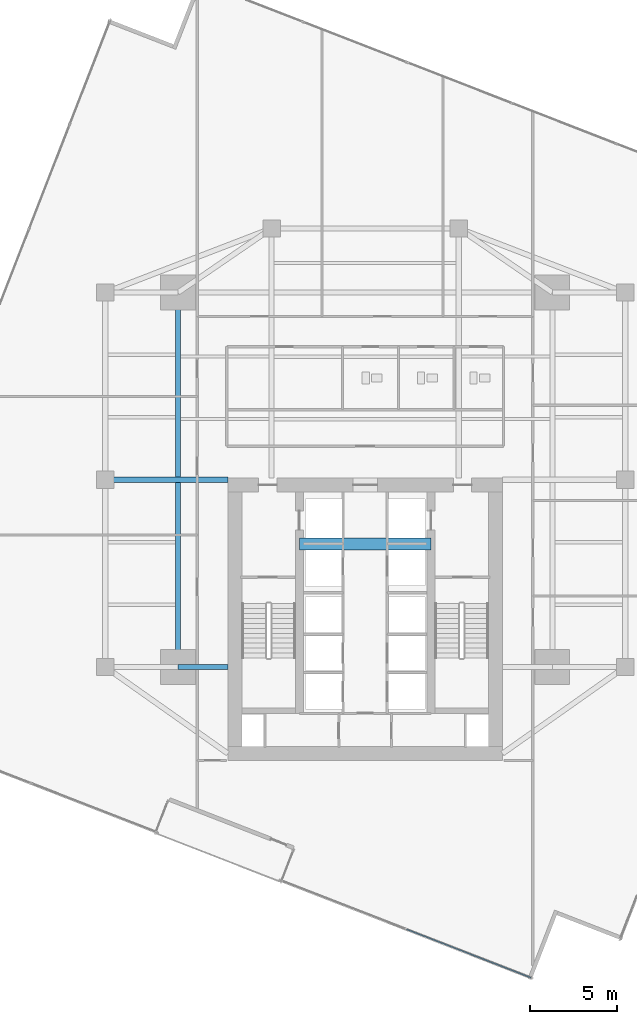
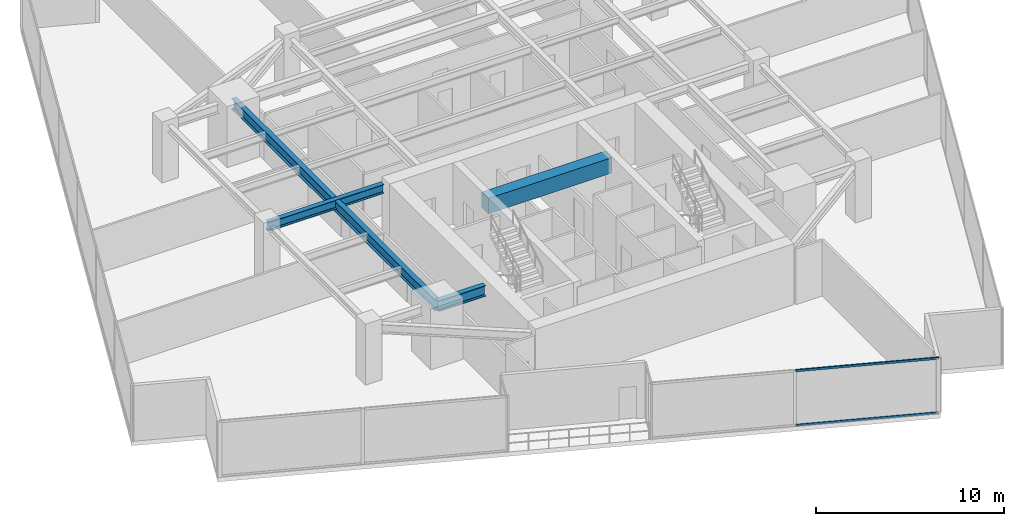
# One storey, part 8 of 26: 4 beams, 2 members, 1 element without a shape of its own.
"""IFC4 building model written with IfcOpenShell, lengths in metres."""

from ifc_helpers import new_model, si_unit, direction, frame, origin, origin_2d, place, context, subcontext, project, spatial, rectangle, hollow_rectangle, i_section, extrude, source, transform, mapped, material, material_profile, profile_set, type_object, type_shapes, element, aggregate, save


model = new_model("IFC4")

# Units and contexts
model_context = context("Model", 3, precision=1e-05, world=origin(), true_north=direction((0.0, 1.0)))
body_context = subcontext(model_context, "Body", "Model", "MODEL_VIEW")
ifc_project = project(units=[si_unit("LENGTHUNIT", "METRE"), si_unit("AREAUNIT", "SQUARE_METRE"), si_unit("VOLUMEUNIT", "CUBIC_METRE"), si_unit("PLANEANGLEUNIT", "RADIAN"), si_unit("MASSUNIT", "GRAM", prefix="KILO")], contexts=[model_context])

# Site, building, storey
site_placement = place(None, origin())
site = spatial("IfcSite", under=ifc_project, at=site_placement, CompositionType="ELEMENT")
building_placement = place(site_placement, origin())
building = spatial("IfcBuilding", under=site, at=building_placement, Name="Krantzveldt Concourse Tower", CompositionType="ELEMENT")
storey_placement = place(building_placement, frame((0.0, 0.0, 137.449951171875)))
storey = spatial("IfcBuildingStorey", under=building, at=storey_placement, Name="L33", CompositionType="ELEMENT", Elevation=137.449951171875)

# Beams
ifc_material_1 = material(Name="Steel S355J2", Category="steel")
ifc_material_profile_1 = material_profile(ifc_material_1, i_section(OverallWidth=0.300048828125, OverallDepth=0.699951171875, WebThickness=0.01708984375, FlangeThickness=0.031982421875, FilletRadius=0.027099609375, at=origin_2d()), Name="Steel S355J2", Category="steel")
ifc_profile_set_1 = profile_set([ifc_material_profile_1], Name="Steel S355J2 - HEB 700")
beam_type_1 = type_object("IfcBeamType", Name="BM-B-HEB700", PredefinedType="BEAM", material=ifc_profile_set_1)
shared_shape_1 = source(origin(), body_context, "Body", "SweptSolid", [
    extrude(i_section(OverallWidth=0.300048828125, OverallDepth=0.699951171875, WebThickness=0.01708984375, FlangeThickness=0.031982421875, FilletRadius=0.027099609375, at=origin_2d()), origin(), (0.0, 0.0, 1.0), 2.880126953125),
])
beam_1_placement = place(storey_placement, frame((25.199951171875, 15.89990234375, 3.25), z_axis=(1.0, 0.0, 0.0), x_axis=(0.0, 1.0, 0.0)))
element("IfcBeam", 1, at=beam_1_placement, inside=storey, type_object=beam_type_1, Name="L33 Tower Girder BG-CW1", PredefinedType="BEAM", context=body_context, shape_type="MappedRepresentation", body=[
    mapped(shared_shape_1, transform((0.0, 0.0, 0.0), x_axis=(1.0, 0.0, 0.0), y_axis=(0.0, 1.0, 0.0), z_axis=(0.0, 0.0, 1.0), scale=1.0)),
])
shared_shape_2 = source(origin(), body_context, "Body", "SweptSolid", [
    extrude(i_section(OverallWidth=0.300048828125, OverallDepth=0.699951171875, WebThickness=0.01708984375, FlangeThickness=0.031982421875, FilletRadius=0.027099609375, at=origin_2d()), origin(), (0.0, 0.0, 1.0), 21.60009765625),
])
type_shapes(beam_type_1, [shared_shape_1, shared_shape_2])
beam_2_placement = place(storey_placement, frame((25.199951171875, 15.89990234375, 3.25), z_axis=(0.0, 1.0, 0.0), x_axis=(-1.0, 0.0, 0.0)))
element("IfcBeam", 2, at=beam_2_placement, inside=storey, type_object=beam_type_1, Name="L33 Tower Girder BG-MW", PredefinedType="BEAM", context=body_context, shape_type="MappedRepresentation", body=[
    mapped(shared_shape_2, transform((0.0, 0.0, 0.0), x_axis=(1.0, 0.0, 0.0), y_axis=(0.0, 1.0, 0.0), z_axis=(0.0, 0.0, 1.0), scale=1.0)),
])
ifc_material_2 = material(Name="Steel S355JR", Category="steel")
ifc_material_profile_2 = material_profile(ifc_material_2, i_section(OverallWidth=0.300048828125, OverallDepth=0.590087890625, WebThickness=0.012939453125, FlangeThickness=0.02490234375, FilletRadius=0.027099609375, at=origin_2d()), Name="Steel S355JR", Category="steel")
ifc_profile_set_2 = profile_set([ifc_material_profile_2], Name="Steel S355JR - HEA 600")
beam_type_2 = type_object("IfcBeamType", Name="BM-B-HEA600", PredefinedType="BEAM", material=ifc_profile_set_2)
shared_shape_3 = source(origin(), body_context, "Body", "SweptSolid", [
    extrude(i_section(OverallWidth=0.300048828125, OverallDepth=0.590087890625, WebThickness=0.012939453125, FlangeThickness=0.02490234375, FilletRadius=0.027099609375, at=origin_2d()), origin(), (0.0, 0.0, 1.0), 7.080078125),
])
type_shapes(beam_type_2, [shared_shape_3])
beam_3_placement = place(storey_placement, frame((21.0, 26.699951171875, 3.304931640625), z_axis=(1.0, 0.0, 0.0), x_axis=(0.0, 1.0, 0.0)))
element("IfcBeam", 3, at=beam_3_placement, inside=storey, type_object=beam_type_2, Name="L33 Tower Girder BG-CW2", PredefinedType="BEAM", context=body_context, shape_type="MappedRepresentation", body=[
    mapped(shared_shape_3, transform((0.0, 0.0, 0.0), x_axis=(1.0, 0.0, 0.0), y_axis=(0.0, 1.0, 0.0), z_axis=(0.0, 0.0, 1.0), scale=1.0)),
])
ifc_material_3 = material(Name="Concrete C50/60", Category="concrete")
ifc_material_profile_3 = material_profile(ifc_material_3, rectangle(XDim=0.699951171875, YDim=1.0, at=origin_2d()), Name="Concrete C50/60", Category="concrete")
ifc_profile_set_3 = profile_set([ifc_material_profile_3], Name="Concrete C50/60 - RC-CB 700x1000")
beam_type_3 = type_object("IfcBeamType", Name="BM-CB-1000", PredefinedType="LINTEL", material=ifc_profile_set_3)
shared_shape_4 = source(origin(), body_context, "Body", "SweptSolid", [
    extrude(rectangle(XDim=0.699951171875, YDim=1.0, at=origin_2d()), origin(), (0.0, 0.0, 1.0), 7.580078125),
])
type_shapes(beam_type_3, [shared_shape_4])
beam_4_placement = place(storey_placement, frame((32.2099609375, 23.0, 3.10009765625), z_axis=(1.0, 0.0, 0.0), x_axis=(0.0, 1.0, 0.0)))
element("IfcBeam", 4, at=beam_4_placement, inside=storey, type_object=beam_type_3, Name="CB-L33-01", PredefinedType="LINTEL", context=body_context, shape_type="MappedRepresentation", body=[
    mapped(shared_shape_4, transform((0.0, 0.0, 0.0), x_axis=(1.0, 0.0, 0.0), y_axis=(0.0, 1.0, 0.0), z_axis=(0.0, 0.0, 1.0), scale=1.0)),
])

# Curtain wall, members
ifc_material_4 = material(Name="Anodised aluminium 6063-T6", Category="aluminium")
curtain_wall_type = type_object("IfcCurtainWallType", Name="CW2", PredefinedType="USERDEFINED", material=ifc_material_4)
curtain_wall_placement = place(storey_placement, origin())
curtain_wall = element("IfcCurtainWall", 5, at=curtain_wall_placement, inside=storey, type_object=curtain_wall_type, Name="CW-L33-F08", ObjectType="UNITISED CURTAIN WALL", PredefinedType="USERDEFINED")
ifc_material_profile_4 = material_profile(ifc_material_4, hollow_rectangle(XDim=0.070068359375, YDim=0.139892578125, WallThickness=0.0048828125, at=origin_2d()), Name="Anodised aluminium 6063-T6", Category="aluminium")
ifc_profile_set_4 = profile_set([ifc_material_profile_4], Name="Anodised aluminium 6063-T6 - ALU-TRAN 140x70x5")
member_type = type_object("IfcMemberType", Name="CW-TRN-150", PredefinedType="USERDEFINED", material=ifc_profile_set_4)
shared_shape_5 = source(origin(), body_context, "Body", "SweptSolid", [
    extrude(hollow_rectangle(XDim=0.070068359375, YDim=0.139892578125, WallThickness=0.0048828125, at=origin_2d()), origin(), (0.0, 0.0, 1.0), 7.695068359375),
])
type_shapes(member_type, [shared_shape_5])
member_1_placement = place(storey_placement, frame((38.3955078125, 0.7578125, 0.03515625), z_axis=(0.9320153886, -0.362418701797, 0.0), x_axis=(0.362418701797, 0.9320153886, 0.0)))
member_1 = element("IfcMember", 6, at=member_1_placement, type_object=member_type, Name="CW-Z12 transom 2.1", ObjectType="TRANSOM", PredefinedType="USERDEFINED", context=body_context, shape_type="MappedRepresentation", body=[
    mapped(shared_shape_5, transform((0.0, 0.0, 0.0), x_axis=(1.0, 0.0, 0.0), y_axis=(0.0, 1.0, 0.0), z_axis=(0.0, 0.0, 1.0), scale=1.0)),
])
member_2_placement = place(storey_placement, frame((38.3955078125, 0.7578125, 3.56494140625), z_axis=(0.9320153886, -0.362418701797, 0.0), x_axis=(0.362418701797, 0.9320153886, 0.0)))
member_2 = element("IfcMember", 7, at=member_2_placement, type_object=member_type, Name="CW-Z12 transom 2.2", ObjectType="TRANSOM", PredefinedType="USERDEFINED", context=body_context, shape_type="MappedRepresentation", body=[
    mapped(shared_shape_5, transform((0.0, 0.0, 0.0), x_axis=(1.0, 0.0, 0.0), y_axis=(0.0, 1.0, 0.0), z_axis=(0.0, 0.0, 1.0), scale=1.0)),
])
aggregate(curtain_wall, [member_1, member_2])

save(model, "model.ifc")
